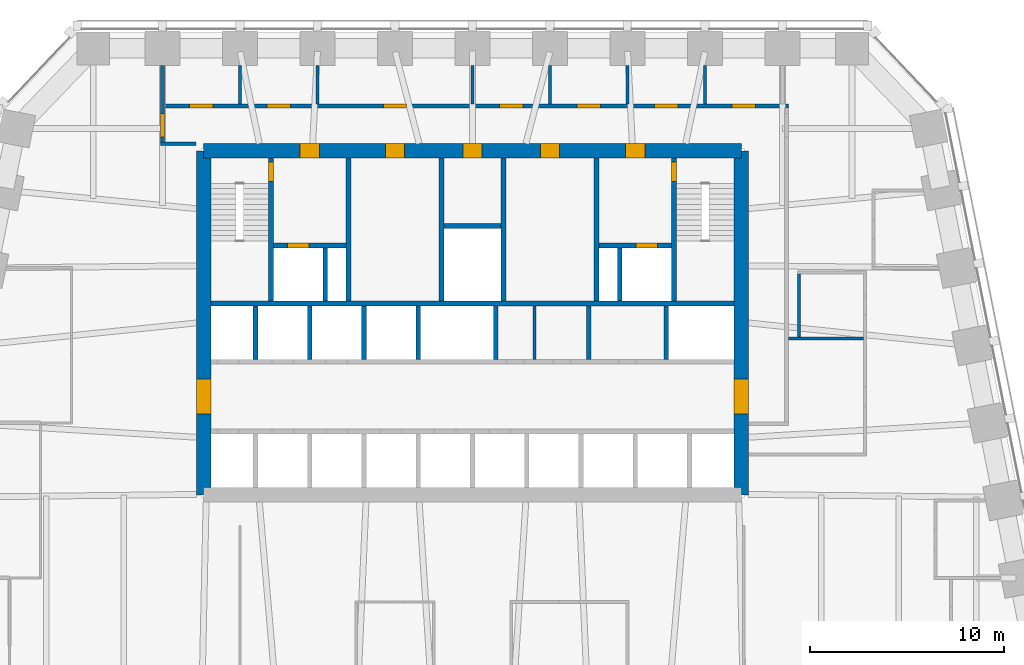
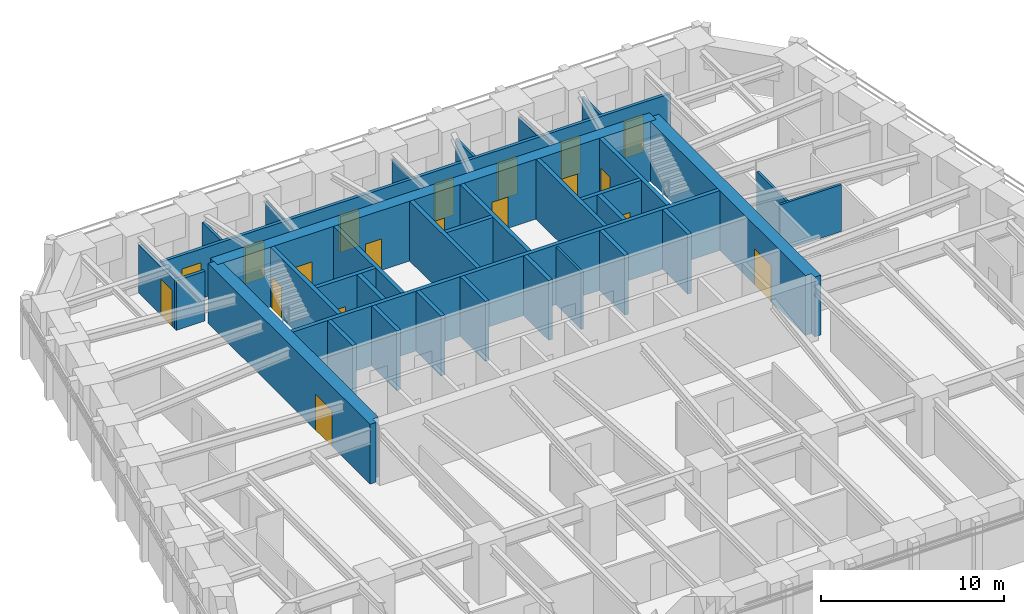
# One storey, part 7 of 10: 34 walls, 19 doors, 19 openings.
"""IFC4 building model written with IfcOpenShell, lengths in metres."""

from ifc_helpers import new_model, si_unit, direction, frame, frame_2d, origin, place, context, subcontext, project, spatial, polyline, rectangle, outline, extrude, material, layer, layer_set, type_object, element, fill, save


model = new_model("IFC4")

# Units and contexts
model_context = context("Model", 3, precision=1e-05, world=origin(), true_north=direction((0.0, 1.0)))
body_context = subcontext(model_context, "Body", "Model", "MODEL_VIEW")
ifc_project = project(units=[si_unit("LENGTHUNIT", "METRE"), si_unit("AREAUNIT", "SQUARE_METRE"), si_unit("VOLUMEUNIT", "CUBIC_METRE"), si_unit("PLANEANGLEUNIT", "RADIAN"), si_unit("MASSUNIT", "GRAM", prefix="KILO")], contexts=[model_context])

# Site, building, storey
site_placement = place(None, origin())
site = spatial("IfcSite", under=ifc_project, at=site_placement, CompositionType="ELEMENT")
building_placement = place(site_placement, origin())
building = spatial("IfcBuilding", under=site, at=building_placement, Name="Isbrekke Arena Tower", CompositionType="ELEMENT")
storey_placement = place(building_placement, frame((0.0, 0.0, 163.0)))
storey = spatial("IfcBuildingStorey", under=building, at=storey_placement, Name="L37", CompositionType="ELEMENT", Elevation=163.0)

# Wall, opening, door
ifc_material_1 = material(Name="Concrete B55 (C55/67)", Category="concrete")
ifc_layer_1 = layer(ifc_material_1, 0.75)
ifc_layer_set_1 = layer_set([ifc_layer_1], Name="CW3 CORE WALL 750")
wall_type_1 = type_object("IfcWallType", Name="CW3 CORE WALL 750", PredefinedType="SHEAR", material=ifc_layer_set_1)
wall_1_placement = place(storey_placement, frame((13.875, 6.125, 0.0), z_axis=(0.0, 0.0, 1.0), x_axis=(0.0, 1.0, 0.0)))
wall_1 = element("IfcWall", 1, at=wall_1_placement, inside=storey, type_object=wall_type_1, Name="Core wall E L37", PredefinedType="SHEAR", context=body_context, shape_type="SweptSolid", body=[
    extrude(outline(polyline([(0.0, -0.375), (17.75, -0.375), (17.75, 0.0), (17.375, 0.0), (17.375, 0.375), (0.375, 0.375), (0.375, 0.0), (0.0, 0.0), (0.0, -0.375)])), origin(), (0.0, 0.0, 1.0), 4.0),
])
opening_1_placement = place(wall_1_placement, frame((4.175048828125, 0.0, 0.0)))
opening_1 = element("IfcOpeningElement", 2, at=opening_1_placement, cuts=wall_1, Name="Opening D1", PredefinedType="OPENING", context=body_context, shape_type="SweptSolid", body=[
    extrude(rectangle(XDim=1.800048828125, YDim=2.39990234375, at=frame_2d((0.89990234375, 1.199951171875))), frame((0.0, 0.389892578125, 0.0), z_axis=(0.0, -1.0, 0.0), x_axis=(1.0, 0.0, 0.0)), (0.0, 0.0, 1.0), 0.77978515625),
])
ifc_material_2 = material(Name="Steel-framed glazed fire door", Category="steel")
door_type_1 = type_object("IfcDoorType", Name="D1 CORE LOBBY DOOR 1800 x 2400", OperationType="DOUBLE_DOOR_SINGLE_SWING", PredefinedType="DOOR", material=ifc_material_2)
door_1_placement = place(opening_1_placement, origin())
door_1 = element("IfcDoor", 3, at=door_1_placement, inside=storey, type_object=door_type_1, Name="D1 lift lobby door east L37", OperationType="DOUBLE_DOOR_SINGLE_SWING", OverallHeight=2.39990234375, OverallWidth=1.800048828125, PredefinedType="DOOR", context=body_context, shape_type="SweptSolid", body=[
    extrude(rectangle(XDim=1.800048828125, YDim=2.39990234375, at=frame_2d((0.89990234375, 1.199951171875))), frame((0.0, 0.374755859375, 0.0), z_axis=(0.0, -1.0, 0.0), x_axis=(1.0, 0.0, 0.0)), (0.0, 0.0, 1.0), 0.74951171875),
])
fill(opening_1, door_1)

# Wall, openings, doors
wall_2_placement = place(storey_placement, frame((13.875, 23.875, 0.0), z_axis=(0.0, 0.0, 1.0), x_axis=(-1.0, 0.0, 0.0)))
wall_2 = element("IfcWall", 4, at=wall_2_placement, inside=storey, type_object=wall_type_1, Name="Core wall N L37", PredefinedType="SHEAR", context=body_context, shape_type="SweptSolid", body=[
    extrude(rectangle(XDim=27.75, YDim=0.75, at=frame_2d((13.875, 0.0))), origin(), (0.0, 0.0, 1.0), 4.0),
])
opening_2_placement = place(wall_2_placement, frame((21.77490234375, 0.0, 0.0)))
opening_2 = element("IfcOpeningElement", 5, at=opening_2_placement, cuts=wall_2, Name="Opening D3", PredefinedType="OPENING", context=body_context, shape_type="SweptSolid", body=[
    extrude(rectangle(XDim=1.0, YDim=2.10009765625, at=frame_2d((0.5, 1.050048828125))), frame((0.0, 0.389892578125, 0.0), z_axis=(0.0, -1.0, 0.0), x_axis=(1.0, 0.0, 0.0)), (0.0, 0.0, 1.0), 0.77978515625),
])
opening_3_placement = place(wall_2_placement, frame((4.97509765625, 0.0, 0.0)))
opening_3 = element("IfcOpeningElement", 6, at=opening_3_placement, cuts=wall_2, Name="Opening D3", PredefinedType="OPENING", context=body_context, shape_type="SweptSolid", body=[
    extrude(rectangle(XDim=1.0, YDim=2.10009765625, at=frame_2d((0.5, 1.050048828125))), frame((0.0, 0.389892578125, 0.0), z_axis=(0.0, -1.0, 0.0), x_axis=(1.0, 0.0, 0.0)), (0.0, 0.0, 1.0), 0.77978515625),
])
opening_4_placement = place(wall_2_placement, frame((17.375, 0.0, 0.0)))
opening_4 = element("IfcOpeningElement", 7, at=opening_4_placement, cuts=wall_2, Name="Opening D4", PredefinedType="OPENING", context=body_context, shape_type="SweptSolid", body=[
    extrude(rectangle(XDim=1.0, YDim=2.10009765625, at=frame_2d((0.5, 1.050048828125))), frame((0.0, 0.389892578125, 0.0), z_axis=(0.0, -1.0, 0.0), x_axis=(1.0, 0.0, 0.0)), (0.0, 0.0, 1.0), 0.77978515625),
])
opening_5_placement = place(wall_2_placement, frame((13.375, 0.0, 0.0)))
opening_5 = element("IfcOpeningElement", 8, at=opening_5_placement, cuts=wall_2, Name="Opening D4", PredefinedType="OPENING", context=body_context, shape_type="SweptSolid", body=[
    extrude(rectangle(XDim=1.0, YDim=2.10009765625, at=frame_2d((0.5, 1.050048828125))), frame((0.0, 0.389892578125, 0.0), z_axis=(0.0, -1.0, 0.0), x_axis=(1.0, 0.0, 0.0)), (0.0, 0.0, 1.0), 0.77978515625),
])
opening_6_placement = place(wall_2_placement, frame((9.375, 0.0, 0.0)))
opening_6 = element("IfcOpeningElement", 9, at=opening_6_placement, cuts=wall_2, Name="Opening D4", PredefinedType="OPENING", context=body_context, shape_type="SweptSolid", body=[
    extrude(rectangle(XDim=1.0, YDim=2.10009765625, at=frame_2d((0.5, 1.050048828125))), frame((0.0, 0.389892578125, 0.0), z_axis=(0.0, -1.0, 0.0), x_axis=(1.0, 0.0, 0.0)), (0.0, 0.0, 1.0), 0.77978515625),
])
ifc_material_3 = material(Name="Steel fire door", Category="steel")
door_type_2 = type_object("IfcDoorType", Name="D3 FIRE LOBBY DOOR 1000 x 2100", OperationType="SINGLE_SWING_RIGHT", PredefinedType="DOOR", material=ifc_material_3)
door_2_placement = place(opening_2_placement, origin())
door_2 = element("IfcDoor", 10, at=door_2_placement, inside=storey, type_object=door_type_2, Name="D3 fire-fighting lobby door L37", OperationType="SINGLE_SWING_RIGHT", OverallHeight=2.10009765625, OverallWidth=1.0, PredefinedType="DOOR", context=body_context, shape_type="SweptSolid", body=[
    extrude(rectangle(XDim=1.0, YDim=2.10009765625, at=frame_2d((0.5, 1.050048828125))), frame((0.0, 0.374755859375, 0.0), z_axis=(0.0, -1.0, 0.0), x_axis=(1.0, 0.0, 0.0)), (0.0, 0.0, 1.0), 0.74951171875),
])
fill(opening_2, door_2)
door_3_placement = place(opening_3_placement, origin())
door_3 = element("IfcDoor", 11, at=door_3_placement, inside=storey, type_object=door_type_2, Name="D3 fire-fighting lobby door L37", OperationType="SINGLE_SWING_RIGHT", OverallHeight=2.10009765625, OverallWidth=1.0, PredefinedType="DOOR", context=body_context, shape_type="SweptSolid", body=[
    extrude(rectangle(XDim=1.0, YDim=2.10009765625, at=frame_2d((0.5, 1.050048828125))), frame((0.0, 0.374755859375, 0.0), z_axis=(0.0, -1.0, 0.0), x_axis=(1.0, 0.0, 0.0)), (0.0, 0.0, 1.0), 0.74951171875),
])
fill(opening_3, door_3)
ifc_material_4 = material(Name="Timber door", Category="wood")
door_type_3 = type_object("IfcDoorType", Name="D4 WC DOOR 1000 x 2100", OperationType="SINGLE_SWING_LEFT", PredefinedType="DOOR", material=ifc_material_4)
door_4_placement = place(opening_4_placement, origin())
door_4 = element("IfcDoor", 12, at=door_4_placement, inside=storey, type_object=door_type_3, Name="D4 wc female door L37", OperationType="SINGLE_SWING_LEFT", OverallHeight=2.10009765625, OverallWidth=1.0, PredefinedType="DOOR", context=body_context, shape_type="SweptSolid", body=[
    extrude(rectangle(XDim=1.0, YDim=2.10009765625, at=frame_2d((0.5, 1.050048828125))), frame((0.0, 0.374755859375, 0.0), z_axis=(0.0, -1.0, 0.0), x_axis=(1.0, 0.0, 0.0)), (0.0, 0.0, 1.0), 0.74951171875),
])
fill(opening_4, door_4)
door_5_placement = place(opening_5_placement, origin())
door_5 = element("IfcDoor", 13, at=door_5_placement, inside=storey, type_object=door_type_3, Name="D4 accessible wc door L37", OperationType="SINGLE_SWING_LEFT", OverallHeight=2.10009765625, OverallWidth=1.0, PredefinedType="DOOR", context=body_context, shape_type="SweptSolid", body=[
    extrude(rectangle(XDim=1.0, YDim=2.10009765625, at=frame_2d((0.5, 1.050048828125))), frame((0.0, 0.374755859375, 0.0), z_axis=(0.0, -1.0, 0.0), x_axis=(1.0, 0.0, 0.0)), (0.0, 0.0, 1.0), 0.74951171875),
])
fill(opening_5, door_5)
door_6_placement = place(opening_6_placement, origin())
door_6 = element("IfcDoor", 14, at=door_6_placement, inside=storey, type_object=door_type_3, Name="D4 wc male door L37", OperationType="SINGLE_SWING_LEFT", OverallHeight=2.10009765625, OverallWidth=1.0, PredefinedType="DOOR", context=body_context, shape_type="SweptSolid", body=[
    extrude(rectangle(XDim=1.0, YDim=2.10009765625, at=frame_2d((0.5, 1.050048828125))), frame((0.0, 0.374755859375, 0.0), z_axis=(0.0, -1.0, 0.0), x_axis=(1.0, 0.0, 0.0)), (0.0, 0.0, 1.0), 0.74951171875),
])
fill(opening_6, door_6)

# Wall, opening, door
wall_3_placement = place(storey_placement, frame((-13.875, 23.875, 0.0), z_axis=(0.0, 0.0, 1.0), x_axis=(0.0, -1.0, 0.0)))
wall_3 = element("IfcWall", 15, at=wall_3_placement, inside=storey, type_object=wall_type_1, Name="Core wall W L37", PredefinedType="SHEAR", context=body_context, shape_type="SweptSolid", body=[
    extrude(outline(polyline([(0.0, -0.375), (17.75, -0.375), (17.75, 0.0), (17.375, 0.0), (17.375, 0.375), (0.375, 0.375), (0.375, 0.0), (0.0, 0.0), (0.0, -0.375)])), origin(), (0.0, 0.0, 1.0), 4.0),
])
opening_7_placement = place(wall_3_placement, frame((11.77490234375, 0.0, 0.0)))
opening_7 = element("IfcOpeningElement", 16, at=opening_7_placement, cuts=wall_3, Name="Opening D1", PredefinedType="OPENING", context=body_context, shape_type="SweptSolid", body=[
    extrude(rectangle(XDim=1.800048828125, YDim=2.39990234375, at=frame_2d((0.89990234375, 1.199951171875))), frame((0.0, 0.389892578125, 0.0), z_axis=(0.0, -1.0, 0.0), x_axis=(1.0, 0.0, 0.0)), (0.0, 0.0, 1.0), 0.77978515625),
])
door_7_placement = place(opening_7_placement, origin())
door_7 = element("IfcDoor", 17, at=door_7_placement, inside=storey, type_object=door_type_1, Name="D1 lift lobby door west L37", OperationType="DOUBLE_DOOR_SINGLE_SWING", OverallHeight=2.39990234375, OverallWidth=1.800048828125, PredefinedType="DOOR", context=body_context, shape_type="SweptSolid", body=[
    extrude(rectangle(XDim=1.800048828125, YDim=2.39990234375, at=frame_2d((0.89990234375, 1.199951171875))), frame((0.0, 0.374755859375, 0.0), z_axis=(0.0, -1.0, 0.0), x_axis=(1.0, 0.0, 0.0)), (0.0, 0.0, 1.0), 0.74951171875),
])
fill(opening_7, door_7)

# Walls
ifc_material_5 = material(Name="Concrete B45 (C45/55)", Category="concrete")
ifc_layer_2 = layer(ifc_material_5, 0.25)
ifc_layer_set_2 = layer_set([ifc_layer_2], Name="CW6 SHAFT WALL 250")
wall_type_2 = type_object("IfcWallType", Name="CW6 SHAFT WALL 250", PredefinedType="SHEAR", material=ifc_layer_set_2)
wall_4_placement = place(storey_placement, frame((-13.5, 16.0, 0.0), z_axis=(0.0, 0.0, 1.0), x_axis=(1.0, 0.0, 0.0)))
element("IfcWall", 18, at=wall_4_placement, inside=storey, type_object=wall_type_2, Name="Core wall NB L37", PredefinedType="SHEAR", context=body_context, shape_type="SweptSolid", body=[
    extrude(rectangle(XDim=27.0, YDim=0.25, at=frame_2d((13.5, 0.0))), origin(), (0.0, 0.0, 1.0), 4.0),
])
for number, where, z_axis, x_axis, name in (
    (19, (-11.199951171875, 13.125, 0.0), (0.0, 0.0, 1.0), (0.0, 1.0, 0.0), "Core wall SN01 L37"),
    (20, (-8.39990234375, 13.125, 0.0), (0.0, 0.0, 1.0), (0.0, 1.0, 0.0), "Core wall SN02 L37"),
    (21, (-5.60009765625, 13.125, 0.0), (0.0, 0.0, 1.0), (0.0, 1.0, 0.0), "Core wall SN03 L37"),
    (22, (-2.800048828125, 13.125, 0.0), (0.0, 0.0, 1.0), (0.0, 1.0, 0.0), "Core wall SN04 L37"),
    (23, (1.199951171875, 13.125, 0.0), (0.0, 0.0, 1.0), (0.0, 1.0, 0.0), "Core wall SN05 L37"),
    (24, (6.0, 13.125, 0.0), (0.0, 0.0, 1.0), (0.0, 1.0, 0.0), "Core wall SN06 L37"),
    (25, (10.0, 13.125, 0.0), (0.0, 0.0, 1.0), (0.0, 1.0, 0.0), "Core wall SN07 L37"),
):
    element("IfcWall", number, at=place(storey_placement, frame(where, z_axis=z_axis, x_axis=x_axis)), inside=storey, type_object=wall_type_2, Name=name, PredefinedType="SHEAR", context=body_context, shape_type="SweptSolid", body=[
        extrude(rectangle(XDim=2.75, YDim=0.25, at=frame_2d((1.375, 0.0))), origin(), (0.0, 0.0, 1.0), 4.0),
    ])

# Wall, opening, door
wall_5_placement = place(storey_placement, frame((-10.39990234375, 16.125, 0.0), z_axis=(0.0, 0.0, 1.0), x_axis=(0.0, 1.0, 0.0)))
wall_5 = element("IfcWall", 26, at=wall_5_placement, inside=storey, type_object=wall_type_2, Name="Core wall NV01 L37", PredefinedType="SHEAR", context=body_context, shape_type="SweptSolid", body=[
    extrude(rectangle(XDim=7.375, YDim=0.25, at=frame_2d((3.6875, 0.0))), origin(), (0.0, 0.0, 1.0), 4.0),
])
opening_8_placement = place(wall_5_placement, frame((6.175048828125, 0.0, 0.0)))
opening_8 = element("IfcOpeningElement", 27, at=opening_8_placement, cuts=wall_5, Name="Opening D2", PredefinedType="OPENING", context=body_context, shape_type="SweptSolid", body=[
    extrude(rectangle(XDim=1.0, YDim=2.10009765625, at=frame_2d((0.5, 1.050048828125))), frame((0.0, 0.139892578125, 0.0), z_axis=(0.0, -1.0, 0.0), x_axis=(1.0, 0.0, 0.0)), (0.0, 0.0, 1.0), 0.27978515625),
])
ifc_material_6 = material(Name="Steel fire door", Category="steel")
door_type_4 = type_object("IfcDoorType", Name="D2 STAIR DOOR 1000 x 2100", OperationType="SINGLE_SWING_LEFT", PredefinedType="DOOR", material=ifc_material_6)
door_8_placement = place(opening_8_placement, origin())
door_8 = element("IfcDoor", 28, at=door_8_placement, inside=storey, type_object=door_type_4, Name="D2 stair door ST1 L37", OperationType="SINGLE_SWING_LEFT", OverallHeight=2.10009765625, OverallWidth=1.0, PredefinedType="DOOR", context=body_context, shape_type="SweptSolid", body=[
    extrude(rectangle(XDim=1.0, YDim=2.10009765625, at=frame_2d((0.5, 1.050048828125))), frame((0.0, 0.124755859375, 0.0), z_axis=(0.0, -1.0, 0.0), x_axis=(1.0, 0.0, 0.0)), (0.0, 0.0, 1.0), 0.24951171875),
])
fill(opening_8, door_8)

# Walls
for number, where, z_axis, x_axis, name in (
    (29, (-6.39990234375, 16.125, 0.0), (0.0, 0.0, 1.0), (0.0, 1.0, 0.0), "Core wall NV02 L37"),
    (30, (-1.60009765625, 16.125, 0.0), (0.0, 0.0, 1.0), (0.0, 1.0, 0.0), "Core wall NV03 L37"),
    (31, (1.60009765625, 16.125, 0.0), (0.0, 0.0, 1.0), (0.0, 1.0, 0.0), "Core wall NV04 L37"),
    (32, (6.39990234375, 16.125, 0.0), (0.0, 0.0, 1.0), (0.0, 1.0, 0.0), "Core wall NV05 L37"),
):
    element("IfcWall", number, at=place(storey_placement, frame(where, z_axis=z_axis, x_axis=x_axis)), inside=storey, type_object=wall_type_2, Name=name, PredefinedType="SHEAR", context=body_context, shape_type="SweptSolid", body=[
        extrude(rectangle(XDim=7.375, YDim=0.25, at=frame_2d((3.6875, 0.0))), origin(), (0.0, 0.0, 1.0), 4.0),
    ])

# Wall, opening, door
wall_6_placement = place(storey_placement, frame((10.39990234375, 16.125, 0.0), z_axis=(0.0, 0.0, 1.0), x_axis=(0.0, 1.0, 0.0)))
wall_6 = element("IfcWall", 33, at=wall_6_placement, inside=storey, type_object=wall_type_2, Name="Core wall NV06 L37", PredefinedType="SHEAR", context=body_context, shape_type="SweptSolid", body=[
    extrude(rectangle(XDim=7.375, YDim=0.25, at=frame_2d((3.6875, 0.0))), origin(), (0.0, 0.0, 1.0), 4.0),
])
opening_9_placement = place(wall_6_placement, frame((6.175048828125, 0.0, 0.0)))
opening_9 = element("IfcOpeningElement", 34, at=opening_9_placement, cuts=wall_6, Name="Opening D2", PredefinedType="OPENING", context=body_context, shape_type="SweptSolid", body=[
    extrude(rectangle(XDim=1.0, YDim=2.10009765625, at=frame_2d((0.5, 1.050048828125))), frame((0.0, 0.139892578125, 0.0), z_axis=(0.0, -1.0, 0.0), x_axis=(1.0, 0.0, 0.0)), (0.0, 0.0, 1.0), 0.27978515625),
])
door_9_placement = place(opening_9_placement, origin())
door_9 = element("IfcDoor", 35, at=door_9_placement, inside=storey, type_object=door_type_4, Name="D2 stair door ST2 L37", OperationType="SINGLE_SWING_LEFT", OverallHeight=2.10009765625, OverallWidth=1.0, PredefinedType="DOOR", context=body_context, shape_type="SweptSolid", body=[
    extrude(rectangle(XDim=1.0, YDim=2.10009765625, at=frame_2d((0.5, 1.050048828125))), frame((0.0, 0.124755859375, 0.0), z_axis=(0.0, -1.0, 0.0), x_axis=(1.0, 0.0, 0.0)), (0.0, 0.0, 1.0), 0.24951171875),
])
fill(opening_9, door_9)

wall_7_placement = place(storey_placement, frame((-10.27490234375, 19.0, 0.0), z_axis=(0.0, 0.0, 1.0), x_axis=(1.0, 0.0, 0.0)))
wall_7 = element("IfcWall", 36, at=wall_7_placement, inside=storey, type_object=wall_type_2, Name="Core wall NFW L37", PredefinedType="SHEAR", context=body_context, shape_type="SweptSolid", body=[
    extrude(rectangle(XDim=3.75, YDim=0.25, at=frame_2d((1.875, 0.0))), origin(), (0.0, 0.0, 1.0), 4.0),
])
opening_10_placement = place(wall_7_placement, frame((0.72509765625, 0.0, 0.0)))
opening_10 = element("IfcOpeningElement", 37, at=opening_10_placement, cuts=wall_7, Name="Opening LD2", PredefinedType="OPENING", context=body_context, shape_type="SweptSolid", body=[
    extrude(rectangle(XDim=1.10009765625, YDim=2.10009765625, at=frame_2d((0.550048828125, 1.050048828125))), frame((0.0, 0.139892578125, 0.0), z_axis=(0.0, -1.0, 0.0), x_axis=(1.0, 0.0, 0.0)), (0.0, 0.0, 1.0), 0.27978515625),
])
ifc_material_7 = material(Name="Stainless steel lift landing door", Category="steel")
door_type_5 = type_object("IfcDoorType", Name="LD2 FIRE-FIGHTING LIFT LANDING DOOR 1100 x 2100", OperationType="SLIDING_TO_RIGHT", PredefinedType="DOOR", material=ifc_material_7)
door_10_placement = place(opening_10_placement, origin())
door_10 = element("IfcDoor", 38, at=door_10_placement, inside=storey, type_object=door_type_5, Name="LD2 lift landing door LF L37", OperationType="SLIDING_TO_RIGHT", OverallHeight=2.10009765625, OverallWidth=1.10009765625, PredefinedType="DOOR", context=body_context, shape_type="SweptSolid", body=[
    extrude(rectangle(XDim=1.10009765625, YDim=2.10009765625, at=frame_2d((0.550048828125, 1.050048828125))), frame((0.0, 0.124755859375, 0.0), z_axis=(0.0, -1.0, 0.0), x_axis=(1.0, 0.0, 0.0)), (0.0, 0.0, 1.0), 0.24951171875),
])
fill(opening_10, door_10)

wall_8_placement = place(storey_placement, frame((6.52490234375, 19.0, 0.0), z_axis=(0.0, 0.0, 1.0), x_axis=(1.0, 0.0, 0.0)))
wall_8 = element("IfcWall", 39, at=wall_8_placement, inside=storey, type_object=wall_type_2, Name="Core wall NFE L37", PredefinedType="SHEAR", context=body_context, shape_type="SweptSolid", body=[
    extrude(rectangle(XDim=3.75, YDim=0.25, at=frame_2d((1.875, 0.0))), origin(), (0.0, 0.0, 1.0), 4.0),
])
opening_11_placement = place(wall_8_placement, frame((1.925048828125, 0.0, 0.0)))
opening_11 = element("IfcOpeningElement", 40, at=opening_11_placement, cuts=wall_8, Name="Opening LD2", PredefinedType="OPENING", context=body_context, shape_type="SweptSolid", body=[
    extrude(rectangle(XDim=1.10009765625, YDim=2.10009765625, at=frame_2d((0.550048828125, 1.050048828125))), frame((0.0, 0.139892578125, 0.0), z_axis=(0.0, -1.0, 0.0), x_axis=(1.0, 0.0, 0.0)), (0.0, 0.0, 1.0), 0.27978515625),
])
door_11_placement = place(opening_11_placement, origin())
door_11 = element("IfcDoor", 41, at=door_11_placement, inside=storey, type_object=door_type_5, Name="LD2 lift landing door LF L37", OperationType="SLIDING_TO_RIGHT", OverallHeight=2.10009765625, OverallWidth=1.10009765625, PredefinedType="DOOR", context=body_context, shape_type="SweptSolid", body=[
    extrude(rectangle(XDim=1.10009765625, YDim=2.10009765625, at=frame_2d((0.550048828125, 1.050048828125))), frame((0.0, 0.124755859375, 0.0), z_axis=(0.0, -1.0, 0.0), x_axis=(1.0, 0.0, 0.0)), (0.0, 0.0, 1.0), 0.24951171875),
])
fill(opening_11, door_11)

# Walls
for number, where, z_axis, x_axis, name in (
    (42, (-7.60009765625, 16.125, 0.0), (0.0, 0.0, 1.0), (0.0, 1.0, 0.0), "Core wall NFS1 L37"),
    (43, (7.60009765625, 16.125, 0.0), (0.0, 0.0, 1.0), (0.0, 1.0, 0.0), "Core wall NFS2 L37"),
):
    element("IfcWall", number, at=place(storey_placement, frame(where, z_axis=z_axis, x_axis=x_axis)), inside=storey, type_object=wall_type_2, Name=name, PredefinedType="SHEAR", context=body_context, shape_type="SweptSolid", body=[
        extrude(rectangle(XDim=2.75, YDim=0.25, at=frame_2d((1.375, 0.0))), origin(), (0.0, 0.0, 1.0), 4.0),
    ])
wall_9_placement = place(storey_placement, frame((-1.47509765625, 20.0, 0.0), z_axis=(0.0, 0.0, 1.0), x_axis=(1.0, 0.0, 0.0)))
element("IfcWall", 44, at=wall_9_placement, inside=storey, type_object=wall_type_2, Name="Core wall NWC L37", PredefinedType="SHEAR", context=body_context, shape_type="SweptSolid", body=[
    extrude(rectangle(XDim=2.9501953125, YDim=0.25, at=frame_2d((1.47509765625, 0.0))), origin(), (0.0, 0.0, 1.0), 4.0),
])
ifc_material_8 = material(Name="Gypsum board partition on steel studs", Category="steel")
ifc_layer_3 = layer(ifc_material_8, 0.14990234375)
ifc_layer_set_3 = layer_set([ifc_layer_3], Name="IW1 PARTITION 150")
wall_type_3 = type_object("IfcWallType", Name="IW1 PARTITION 150", PredefinedType="PARTITIONING", material=ifc_layer_set_3)
wall_10_placement = place(storey_placement, frame((16.300048828125, 14.199951171875, 0.0), z_axis=(0.0, 0.0, 1.0), x_axis=(1.0, 0.0, 0.0)))
element("IfcWall", 45, at=wall_10_placement, inside=storey, type_object=wall_type_3, Name="IW1 partition 150 L37", PredefinedType="PARTITIONING", context=body_context, shape_type="SweptSolid", body=[
    extrude(rectangle(XDim=3.875, YDim=0.14990234375, at=frame_2d((1.9375, 0.0))), origin(), (0.0, 0.0, 1.0), 3.1298828125),
])
for number, where, z_axis, x_axis, name in (
    (46, (-12.0, 26.300048828125, 0.0), (0.0, 0.0, 1.0), (0.0, 1.0, 0.0), "IW1 partition 150 L37"),
    (47, (-8.0, 26.300048828125, 0.0), (0.0, 0.0, 1.0), (0.0, 1.0, 0.0), "IW1 partition 150 L37"),
    (48, (0.0, 26.300048828125, 0.0), (0.0, 0.0, 1.0), (0.0, 1.0, 0.0), "IW1 partition 150 L37"),
    (49, (4.0, 26.300048828125, 0.0), (0.0, 0.0, 1.0), (0.0, 1.0, 0.0), "IW1 partition 150 L37"),
    (50, (8.0, 26.300048828125, 0.0), (0.0, 0.0, 1.0), (0.0, 1.0, 0.0), "IW1 partition 150 L37"),
    (51, (12.0, 26.300048828125, 0.0), (0.0, 0.0, 1.0), (0.0, 1.0, 0.0), "IW1 partition 150 L37"),
):
    element("IfcWall", number, at=place(storey_placement, frame(where, z_axis=z_axis, x_axis=x_axis)), inside=storey, type_object=wall_type_3, Name=name, PredefinedType="PARTITIONING", context=body_context, shape_type="SweptSolid", body=[
        extrude(rectangle(XDim=1.974853515625, YDim=0.14990234375, at=frame_2d((0.9873046875, 0.0))), origin(), (0.0, 0.0, 1.0), 3.318115234375),
    ])
wall_11_placement = place(storey_placement, frame((16.85009765625, 14.27490234375, 0.0), z_axis=(0.0, 0.0, 1.0), x_axis=(0.0, 1.0, 0.0)))
element("IfcWall", 52, at=wall_11_placement, inside=storey, type_object=wall_type_3, Name="IW1 partition 150 L37", PredefinedType="PARTITIONING", context=body_context, shape_type="SweptSolid", body=[
    extrude(rectangle(XDim=3.25, YDim=0.14990234375, at=frame_2d((1.625, 0.0))), origin(), (0.0, 0.0, 1.0), 3.1298828125),
])
ifc_material_9 = material(Name="Gypsum board fire-cell wall on steel studs, two layers each side", Category="steel")
ifc_layer_4 = layer(ifc_material_9, 0.199951171875)
ifc_layer_set_4 = layer_set([ifc_layer_4], Name="IW3 FIRE-CELL WALL 200")
wall_type_4 = type_object("IfcWallType", Name="IW3 FIRE-CELL WALL 200", PredefinedType="PARTITIONING", material=ifc_layer_set_4)
wall_12_placement = place(storey_placement, frame((-16.10009765625, 24.25, 0.0), z_axis=(0.0, 0.0, 1.0), x_axis=(1.0, 0.0, 0.0)))
element("IfcWall", 53, at=wall_12_placement, inside=storey, type_object=wall_type_4, Name="IW3 fire-cell wall 200 L37", PredefinedType="PARTITIONING", context=body_context, shape_type="SweptSolid", body=[
    extrude(rectangle(XDim=1.820068359375, YDim=0.199951171875, at=frame_2d((0.91015625, 0.0))), origin(), (0.0, 0.0, 1.0), 3.318115234375),
])

# Wall, openings, doors
wall_13_placement = place(storey_placement, frame((-15.89990234375, 26.199951171875, 0.0), z_axis=(0.0, 0.0, 1.0), x_axis=(1.0, 0.0, 0.0)))
wall_13 = element("IfcWall", 54, at=wall_13_placement, inside=storey, type_object=wall_type_4, Name="IW3 fire-cell wall 200 L37", PredefinedType="PARTITIONING", context=body_context, shape_type="SweptSolid", body=[
    extrude(rectangle(XDim=32.199951171875, YDim=0.199951171875, at=frame_2d((16.10009765625, 0.0))), origin(), (0.0, 0.0, 1.0), 3.318115234375),
])
opening_12_placement = place(wall_13_placement, frame((1.300048828125, 0.0, 0.0)))
opening_12 = element("IfcOpeningElement", 55, at=opening_12_placement, cuts=wall_13, Name="Opening D12", PredefinedType="OPENING", context=body_context, shape_type="SweptSolid", body=[
    extrude(rectangle(XDim=1.199951171875, YDim=2.39990234375, at=frame_2d((0.60009765625, 1.199951171875))), frame((0.0, 0.11474609375, 0.0), z_axis=(0.0, -1.0, 0.0), x_axis=(1.0, 0.0, 0.0)), (0.0, 0.0, 1.0), 0.229736328125),
])
opening_13_placement = place(wall_13_placement, frame((5.300048828125, 0.0, 0.0)))
opening_13 = element("IfcOpeningElement", 56, at=opening_13_placement, cuts=wall_13, Name="Opening D12", PredefinedType="OPENING", context=body_context, shape_type="SweptSolid", body=[
    extrude(rectangle(XDim=1.199951171875, YDim=2.39990234375, at=frame_2d((0.60009765625, 1.199951171875))), frame((0.0, 0.11474609375, 0.0), z_axis=(0.0, -1.0, 0.0), x_axis=(1.0, 0.0, 0.0)), (0.0, 0.0, 1.0), 0.229736328125),
])
opening_14_placement = place(wall_13_placement, frame((11.300048828125, 0.0, 0.0)))
opening_14 = element("IfcOpeningElement", 57, at=opening_14_placement, cuts=wall_13, Name="Opening D12", PredefinedType="OPENING", context=body_context, shape_type="SweptSolid", body=[
    extrude(rectangle(XDim=1.199951171875, YDim=2.39990234375, at=frame_2d((0.60009765625, 1.199951171875))), frame((0.0, 0.11474609375, 0.0), z_axis=(0.0, -1.0, 0.0), x_axis=(1.0, 0.0, 0.0)), (0.0, 0.0, 1.0), 0.229736328125),
])
opening_15_placement = place(wall_13_placement, frame((17.300048828125, 0.0, 0.0)))
opening_15 = element("IfcOpeningElement", 58, at=opening_15_placement, cuts=wall_13, Name="Opening D12", PredefinedType="OPENING", context=body_context, shape_type="SweptSolid", body=[
    extrude(rectangle(XDim=1.199951171875, YDim=2.39990234375, at=frame_2d((0.60009765625, 1.199951171875))), frame((0.0, 0.11474609375, 0.0), z_axis=(0.0, -1.0, 0.0), x_axis=(1.0, 0.0, 0.0)), (0.0, 0.0, 1.0), 0.229736328125),
])
opening_16_placement = place(wall_13_placement, frame((21.300048828125, 0.0, 0.0)))
opening_16 = element("IfcOpeningElement", 59, at=opening_16_placement, cuts=wall_13, Name="Opening D12", PredefinedType="OPENING", context=body_context, shape_type="SweptSolid", body=[
    extrude(rectangle(XDim=1.199951171875, YDim=2.39990234375, at=frame_2d((0.60009765625, 1.199951171875))), frame((0.0, 0.11474609375, 0.0), z_axis=(0.0, -1.0, 0.0), x_axis=(1.0, 0.0, 0.0)), (0.0, 0.0, 1.0), 0.229736328125),
])
opening_17_placement = place(wall_13_placement, frame((25.300048828125, 0.0, 0.0)))
opening_17 = element("IfcOpeningElement", 60, at=opening_17_placement, cuts=wall_13, Name="Opening D12", PredefinedType="OPENING", context=body_context, shape_type="SweptSolid", body=[
    extrude(rectangle(XDim=1.199951171875, YDim=2.39990234375, at=frame_2d((0.60009765625, 1.199951171875))), frame((0.0, 0.11474609375, 0.0), z_axis=(0.0, -1.0, 0.0), x_axis=(1.0, 0.0, 0.0)), (0.0, 0.0, 1.0), 0.229736328125),
])
opening_18_placement = place(wall_13_placement, frame((29.300048828125, 0.0, 0.0)))
opening_18 = element("IfcOpeningElement", 61, at=opening_18_placement, cuts=wall_13, Name="Opening D12", PredefinedType="OPENING", context=body_context, shape_type="SweptSolid", body=[
    extrude(rectangle(XDim=1.199951171875, YDim=2.39990234375, at=frame_2d((0.60009765625, 1.199951171875))), frame((0.0, 0.11474609375, 0.0), z_axis=(0.0, -1.0, 0.0), x_axis=(1.0, 0.0, 0.0)), (0.0, 0.0, 1.0), 0.229736328125),
])
ifc_material_10 = material(Name="Timber fire door with vision panel", Category="wood")
door_type_6 = type_object("IfcDoorType", Name="D12 SUITE ENTRANCE DOOR 1200 x 2400", OperationType="SINGLE_SWING_LEFT", PredefinedType="DOOR", material=ifc_material_10)
door_12_placement = place(opening_12_placement, origin())
door_12 = element("IfcDoor", 62, at=door_12_placement, inside=storey, type_object=door_type_6, Name="D12 office door L37", OperationType="SINGLE_SWING_LEFT", OverallHeight=2.39990234375, OverallWidth=1.199951171875, PredefinedType="DOOR", context=body_context, shape_type="SweptSolid", body=[
    extrude(rectangle(XDim=1.199951171875, YDim=2.39990234375, at=frame_2d((0.60009765625, 1.199951171875))), frame((0.0, 0.099609375, 0.0), z_axis=(0.0, -1.0, 0.0), x_axis=(1.0, 0.0, 0.0)), (0.0, 0.0, 1.0), 0.199462890625),
])
fill(opening_12, door_12)
door_13_placement = place(opening_13_placement, origin())
door_13 = element("IfcDoor", 63, at=door_13_placement, inside=storey, type_object=door_type_6, Name="D12 office door L37", OperationType="SINGLE_SWING_LEFT", OverallHeight=2.39990234375, OverallWidth=1.199951171875, PredefinedType="DOOR", context=body_context, shape_type="SweptSolid", body=[
    extrude(rectangle(XDim=1.199951171875, YDim=2.39990234375, at=frame_2d((0.60009765625, 1.199951171875))), frame((0.0, 0.099609375, 0.0), z_axis=(0.0, -1.0, 0.0), x_axis=(1.0, 0.0, 0.0)), (0.0, 0.0, 1.0), 0.199462890625),
])
fill(opening_13, door_13)
door_14_placement = place(opening_14_placement, origin())
door_14 = element("IfcDoor", 64, at=door_14_placement, inside=storey, type_object=door_type_6, Name="D12 meeting room door L37", OperationType="SINGLE_SWING_LEFT", OverallHeight=2.39990234375, OverallWidth=1.199951171875, PredefinedType="DOOR", context=body_context, shape_type="SweptSolid", body=[
    extrude(rectangle(XDim=1.199951171875, YDim=2.39990234375, at=frame_2d((0.60009765625, 1.199951171875))), frame((0.0, 0.099609375, 0.0), z_axis=(0.0, -1.0, 0.0), x_axis=(1.0, 0.0, 0.0)), (0.0, 0.0, 1.0), 0.199462890625),
])
fill(opening_14, door_14)
door_15_placement = place(opening_15_placement, origin())
door_15 = element("IfcDoor", 65, at=door_15_placement, inside=storey, type_object=door_type_6, Name="D12 store door L37", OperationType="SINGLE_SWING_LEFT", OverallHeight=2.39990234375, OverallWidth=1.199951171875, PredefinedType="DOOR", context=body_context, shape_type="SweptSolid", body=[
    extrude(rectangle(XDim=1.199951171875, YDim=2.39990234375, at=frame_2d((0.60009765625, 1.199951171875))), frame((0.0, 0.099609375, 0.0), z_axis=(0.0, -1.0, 0.0), x_axis=(1.0, 0.0, 0.0)), (0.0, 0.0, 1.0), 0.199462890625),
])
fill(opening_15, door_15)
door_16_placement = place(opening_16_placement, origin())
door_16 = element("IfcDoor", 66, at=door_16_placement, inside=storey, type_object=door_type_6, Name="D12 office door L37", OperationType="SINGLE_SWING_LEFT", OverallHeight=2.39990234375, OverallWidth=1.199951171875, PredefinedType="DOOR", context=body_context, shape_type="SweptSolid", body=[
    extrude(rectangle(XDim=1.199951171875, YDim=2.39990234375, at=frame_2d((0.60009765625, 1.199951171875))), frame((0.0, 0.099609375, 0.0), z_axis=(0.0, -1.0, 0.0), x_axis=(1.0, 0.0, 0.0)), (0.0, 0.0, 1.0), 0.199462890625),
])
fill(opening_16, door_16)
door_17_placement = place(opening_17_placement, origin())
door_17 = element("IfcDoor", 67, at=door_17_placement, inside=storey, type_object=door_type_6, Name="D12 office door L37", OperationType="SINGLE_SWING_LEFT", OverallHeight=2.39990234375, OverallWidth=1.199951171875, PredefinedType="DOOR", context=body_context, shape_type="SweptSolid", body=[
    extrude(rectangle(XDim=1.199951171875, YDim=2.39990234375, at=frame_2d((0.60009765625, 1.199951171875))), frame((0.0, 0.099609375, 0.0), z_axis=(0.0, -1.0, 0.0), x_axis=(1.0, 0.0, 0.0)), (0.0, 0.0, 1.0), 0.199462890625),
])
fill(opening_17, door_17)
door_18_placement = place(opening_18_placement, origin())
door_18 = element("IfcDoor", 68, at=door_18_placement, inside=storey, type_object=door_type_6, Name="D12 office door L37", OperationType="SINGLE_SWING_LEFT", OverallHeight=2.39990234375, OverallWidth=1.199951171875, PredefinedType="DOOR", context=body_context, shape_type="SweptSolid", body=[
    extrude(rectangle(XDim=1.199951171875, YDim=2.39990234375, at=frame_2d((0.60009765625, 1.199951171875))), frame((0.0, 0.099609375, 0.0), z_axis=(0.0, -1.0, 0.0), x_axis=(1.0, 0.0, 0.0)), (0.0, 0.0, 1.0), 0.199462890625),
])
fill(opening_18, door_18)

# Wall, opening, door
wall_14_placement = place(storey_placement, frame((-16.0, 24.35009765625, 0.0), z_axis=(0.0, 0.0, 1.0), x_axis=(0.0, 1.0, 0.0)))
wall_14 = element("IfcWall", 69, at=wall_14_placement, inside=storey, type_object=wall_type_4, Name="IW3 fire-cell wall 200 L37", PredefinedType="PARTITIONING", context=body_context, shape_type="SweptSolid", body=[
    extrude(rectangle(XDim=3.9248046875, YDim=0.199951171875, at=frame_2d((1.96240234375, 0.0))), origin(), (0.0, 0.0, 1.0), 3.22607421875),
])
opening_19_placement = place(wall_14_placement, frame((0.25, 0.0, 0.0)))
opening_19 = element("IfcOpeningElement", 70, at=opening_19_placement, cuts=wall_14, Name="Opening D12", PredefinedType="OPENING", context=body_context, shape_type="SweptSolid", body=[
    extrude(rectangle(XDim=1.199951171875, YDim=2.39990234375, at=frame_2d((0.60009765625, 1.199951171875))), frame((0.0, 0.11474609375, 0.0), z_axis=(0.0, -1.0, 0.0), x_axis=(1.0, 0.0, 0.0)), (0.0, 0.0, 1.0), 0.229736328125),
])
door_19_placement = place(opening_19_placement, origin())
door_19 = element("IfcDoor", 71, at=door_19_placement, inside=storey, type_object=door_type_6, Name="D12 suite entrance A door L37", OperationType="SINGLE_SWING_LEFT", OverallHeight=2.39990234375, OverallWidth=1.199951171875, PredefinedType="DOOR", context=body_context, shape_type="SweptSolid", body=[
    extrude(rectangle(XDim=1.199951171875, YDim=2.39990234375, at=frame_2d((0.60009765625, 1.199951171875))), frame((0.0, 0.099609375, 0.0), z_axis=(0.0, -1.0, 0.0), x_axis=(1.0, 0.0, 0.0)), (0.0, 0.0, 1.0), 0.199462890625),
])
fill(opening_19, door_19)

# Wall
ifc_material_11 = material(Name="Gypsum board fire-rated partition on steel studs, two layers each side", Category="steel")
ifc_layer_5 = layer(ifc_material_11, 0.14990234375)
ifc_layer_set_5 = layer_set([ifc_layer_5], Name="IW5 FIRE-RATED PARTITION 150")
wall_type_5 = type_object("IfcWallType", Name="IW5 FIRE-RATED PARTITION 150", PredefinedType="PARTITIONING", material=ifc_layer_set_5)
wall_15_placement = place(storey_placement, frame((3.199951171875, 13.125, 0.0), z_axis=(0.0, 0.0, 1.0), x_axis=(0.0, 1.0, 0.0)))
element("IfcWall", 72, at=wall_15_placement, inside=storey, type_object=wall_type_5, Name="IW5 fire-rated partition L37 core service rooms 1", PredefinedType="PARTITIONING", context=body_context, shape_type="SweptSolid", body=[
    extrude(rectangle(XDim=2.75, YDim=0.14990234375, at=frame_2d((1.375, 0.0))), origin(), (0.0, 0.0, 1.0), 3.85009765625),
])

save(model, "model.ifc")
